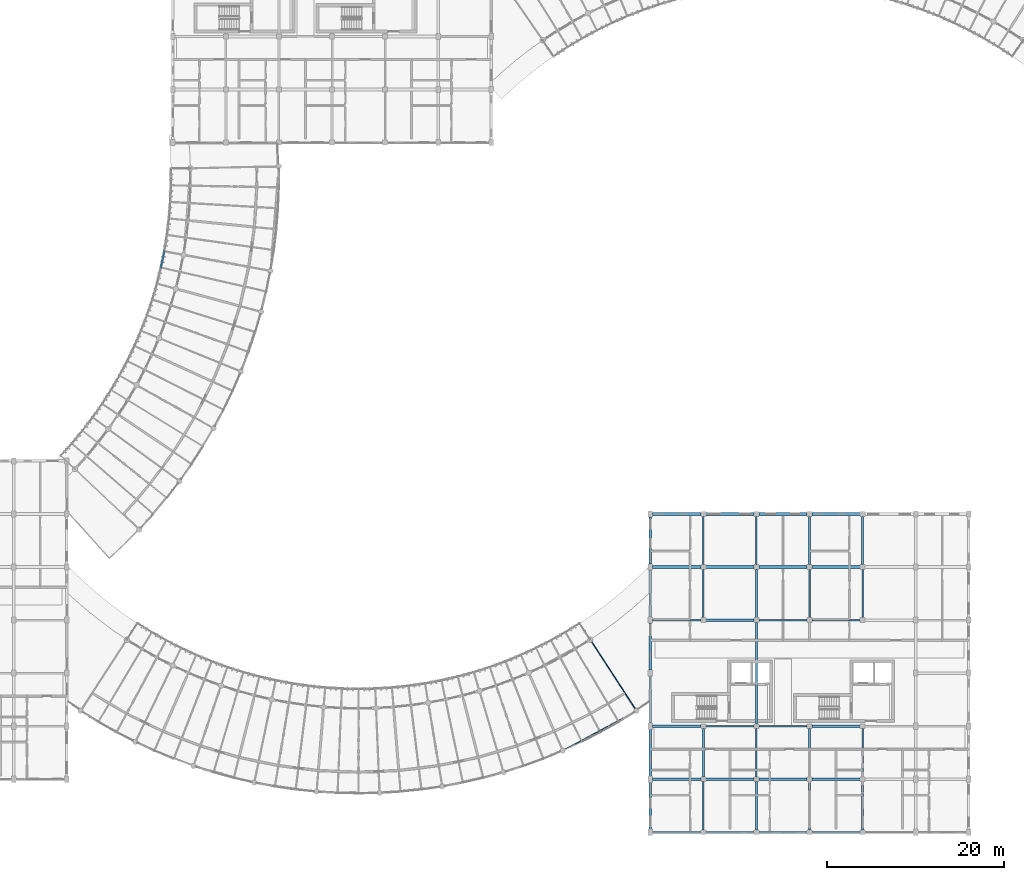
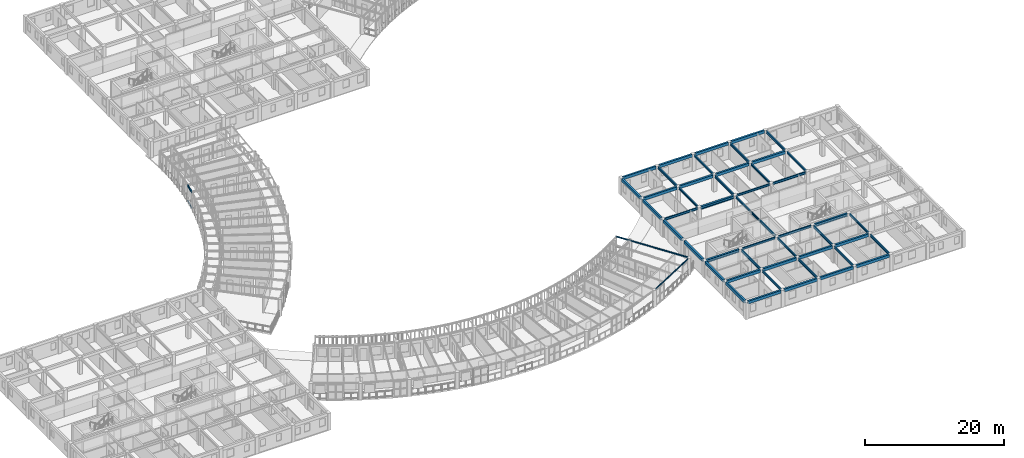
# One storey, part 22 of 101: 50 beams, 2 members.
"""IFC4 building model written with IfcOpenShell, lengths in metres."""

from ifc_helpers import new_model, si_unit, direction, frame, origin, origin_2d, place, context, subcontext, project, spatial, rectangle, hollow_rectangle, i_section, extrude, material, material_profile, profile_set, type_object, element, save


model = new_model("IFC4")

# Units and contexts
model_context = context("Model", 3, precision=1e-05, world=origin(), true_north=direction((0.0, 1.0)))
body_context = subcontext(model_context, "Body", "Model", "MODEL_VIEW")
ifc_project = project(units=[si_unit("LENGTHUNIT", "METRE"), si_unit("AREAUNIT", "SQUARE_METRE"), si_unit("VOLUMEUNIT", "CUBIC_METRE"), si_unit("PLANEANGLEUNIT", "RADIAN"), si_unit("MASSUNIT", "GRAM", prefix="KILO"), si_unit("POWERUNIT", "WATT"), si_unit("THERMODYNAMICTEMPERATUREUNIT", "KELVIN")], contexts=[model_context])

# Site, building, storey
site_placement = place(None, origin())
site = spatial("IfcSite", under=ifc_project, at=site_placement, CompositionType="ELEMENT")
building_placement = place(site_placement, origin())
building = spatial("IfcBuilding", under=site, at=building_placement, Name="Ruvembo Vaulted Housing Court", CompositionType="ELEMENT")
storey_placement = place(building_placement, frame((0.0, 0.0, 17.300048828125)))
storey = spatial("IfcBuildingStorey", under=building, at=storey_placement, Name="L05", CompositionType="ELEMENT", Elevation=17.300048828125)

# Beams
ifc_material_1 = material(Name="Steel S355J2", Category="steel")
ifc_material_profile_1 = material_profile(ifc_material_1, i_section(OverallWidth=0.300048828125, OverallDepth=0.5, WebThickness=0.014404296875, FlangeThickness=0.028076171875, FilletRadius=0.027099609375, at=origin_2d()), Name="HEB 320")
ifc_profile_set_1 = profile_set([ifc_material_profile_1], Name="Steel S355J2")
beam_type_1 = type_object("IfcBeamType", Name="BM-ST-HEB320", PredefinedType="BEAM", material=ifc_profile_set_1)
beam_1_placement = place(storey_placement, frame((102.235107421875, 12.0, 2.676025390625), z_axis=(1.0, 0.0, 0.0), x_axis=(0.0, 1.0, 0.0)))
element("IfcBeam", 1, at=beam_1_placement, inside=storey, type_object=beam_type_1, Name="L05 Grid Beam X #2309", PredefinedType="BEAM", context=body_context, shape_type="SweptSolid", body=[
    extrude(i_section(OverallWidth=0.300048828125, OverallDepth=0.5, WebThickness=0.014404296875, FlangeThickness=0.028076171875, FilletRadius=0.027099609375, at=origin_2d()), origin(), (0.0, 0.0, 1.0), 5.5048828125),
])
for number, where, z_axis, x_axis, name in (
    (2, (120.260009765625, 12.0, 2.676025390625), (1.0, 0.0, 0.0), (0.0, 1.0, 0.0), "L05 Grid Beam X #2312"),
    (3, (108.260009765625, 24.0, 2.676025390625), (1.0, 0.0, 0.0), (0.0, 1.0, 0.0), "L05 Grid Beam X #2324"),
):
    element("IfcBeam", number, at=place(storey_placement, frame(where, z_axis=z_axis, x_axis=x_axis)), inside=storey, type_object=beam_type_1, Name=name, PredefinedType="BEAM", context=body_context, shape_type="SweptSolid", body=[
        extrude(i_section(OverallWidth=0.300048828125, OverallDepth=0.5, WebThickness=0.014404296875, FlangeThickness=0.028076171875, FilletRadius=0.027099609375, at=origin_2d()), origin(), (0.0, 0.0, 1.0), 5.47998046875),
    ])
ifc_material_profile_2 = material_profile(ifc_material_1, i_section(OverallWidth=0.08203125, OverallDepth=0.159912109375, WebThickness=0.0048828125, FlangeThickness=0.00732421875, FilletRadius=0.009033203125, at=origin_2d()), Name="IPE 160")
ifc_profile_set_2 = profile_set([ifc_material_profile_2], Name="Steel S355J2")
beam_type_2 = type_object("IfcBeamType", Name="BM-ST-IPE160", PredefinedType="JOIST", material=ifc_profile_set_2)
beam_2_placement = place(storey_placement, frame((100.343994140625, 13.901611328125, 2.85205078125), z_axis=(-0.545955148069, 0.837814404446, 0.0), x_axis=(-0.837814404446, -0.545955148069, 0.0)))
element("IfcBeam", 4, at=beam_2_placement, inside=storey, type_object=beam_type_2, Name="Scoop SC2 L05 Radial Steel Joist 28", PredefinedType="JOIST", context=body_context, shape_type="SweptSolid", body=[
    extrude(i_section(OverallWidth=0.08203125, OverallDepth=0.159912109375, WebThickness=0.0048828125, FlangeThickness=0.00732421875, FilletRadius=0.009033203125, at=origin_2d()), origin(), (0.0, 0.0, 1.0), 11.64990234375),
])
ifc_material_profile_3 = material_profile(ifc_material_1, i_section(OverallWidth=0.110107421875, OverallDepth=0.219970703125, WebThickness=0.005859375, FlangeThickness=0.00927734375, FilletRadius=0.011962890625, at=origin_2d()), Name="IPE 220")
ifc_profile_set_3 = profile_set([ifc_material_profile_3], Name="Steel S355J2")
beam_type_3 = type_object("IfcBeamType", Name="BM-ST-IPE220", PredefinedType="SPANDREL", material=ifc_profile_set_3)
beam_3_placement = place(storey_placement, frame((46.664794921875, 63.86669921875, 2.822021484375), z_axis=(0.20126745828, 0.979536324103, 0.0), x_axis=(-0.979536324103, 0.20126745828, 0.0)))
element("IfcBeam", 5, at=beam_3_placement, inside=storey, type_object=beam_type_3, Name="Scoop SC1 L05 Balcony Edge Spandrel 13", PredefinedType="SPANDREL", context=body_context, shape_type="SweptSolid", body=[
    extrude(i_section(OverallWidth=0.110107421875, OverallDepth=0.219970703125, WebThickness=0.005859375, FlangeThickness=0.00927734375, FilletRadius=0.011962890625, at=origin_2d()), origin(), (0.0, 0.0, 1.0), 1.87646484375),
])
beam_4_placement = place(storey_placement, frame((92.2607421875, 9.322509765625, 2.823974609375), z_axis=(0.879955343206, 0.475056411349, 0.0), x_axis=(-0.475056411349, 0.879955343206, 0.0)))
element("IfcBeam", 6, at=beam_4_placement, inside=storey, type_object=beam_type_3, Name="Scoop SC2 L05 Chord Girder B24", PredefinedType="SPANDREL", context=body_context, shape_type="SweptSolid", body=[
    extrude(i_section(OverallWidth=0.110107421875, OverallDepth=0.219970703125, WebThickness=0.005859375, FlangeThickness=0.00927734375, FilletRadius=0.011962890625, at=origin_2d()), origin(), (0.0, 0.0, 1.0), 9.11376953125),
])
ifc_material_profile_4 = material_profile(ifc_material_1, i_section(OverallWidth=0.169921875, OverallDepth=0.360107421875, WebThickness=0.008056640625, FlangeThickness=0.0126953125, FilletRadius=0.01806640625, at=origin_2d()), Name="IPE 360")
ifc_profile_set_4 = profile_set([ifc_material_profile_4], Name="Steel S355J2")
beam_type_4 = type_object("IfcBeamType", Name="BM-ST-IPE360", PredefinedType="BEAM", material=ifc_profile_set_4)
for number, where, z_axis, x_axis, name in (
    (7, (108.260009765625, 12.0, 2.745849609375), (1.0, 0.0, 0.0), (0.0, 1.0, 0.0), "L05 Grid Beam X #2310"),
    (8, (114.260009765625, 24.0, 2.745849609375), (1.0, 0.0, 0.0), (0.0, 1.0, 0.0), "L05 Grid Beam X #2325"),
    (9, (108.0, 24.260009765625, 2.745849609375), (0.0, 1.0, 0.0), (-1.0, 0.0, 0.0), "L05 Grid Beam Y #2499"),
    (10, (114.0, 6.260009765625, 2.745849609375), (0.0, 1.0, 0.0), (-1.0, 0.0, 0.0), "L05 Grid Beam Y #2502"),
    (11, (114.0, 30.260009765625, 2.745849609375), (0.0, 1.0, 0.0), (-1.0, 0.0, 0.0), "L05 Grid Beam Y #2505"),
    (12, (120.0, 24.260009765625, 2.745849609375), (0.0, 1.0, 0.0), (-1.0, 0.0, 0.0), "L05 Grid Beam Y #2508"),
    (13, (126.0, 6.260009765625, 2.745849609375), (0.0, 1.0, 0.0), (-1.0, 0.0, 0.0), "L05 Grid Beam Y #2511"),
):
    element("IfcBeam", number, at=place(storey_placement, frame(where, z_axis=z_axis, x_axis=x_axis)), inside=storey, type_object=beam_type_4, Name=name, PredefinedType="BEAM", context=body_context, shape_type="SweptSolid", body=[
        extrude(i_section(OverallWidth=0.169921875, OverallDepth=0.360107421875, WebThickness=0.008056640625, FlangeThickness=0.0126953125, FilletRadius=0.01806640625, at=origin_2d()), origin(), (0.0, 0.0, 1.0), 5.47998046875),
    ])
ifc_material_profile_5 = material_profile(ifc_material_1, i_section(OverallWidth=0.179931640625, OverallDepth=0.39990234375, WebThickness=0.008544921875, FlangeThickness=0.013427734375, FilletRadius=0.02099609375, at=origin_2d()), Name="IPE 400")
ifc_profile_set_5 = profile_set([ifc_material_profile_5], Name="Steel S355J2")
beam_type_5 = type_object("IfcBeamType", Name="BM-ST-IPE400", PredefinedType="BEAM", material=ifc_profile_set_5)
beam_5_placement = place(storey_placement, frame((114.260009765625, 12.0, 2.725830078125), z_axis=(1.0, 0.0, 0.0), x_axis=(0.0, 1.0, 0.0)))
element("IfcBeam", 14, at=beam_5_placement, inside=storey, type_object=beam_type_5, Name="L05 Grid Beam X #2311", PredefinedType="BEAM", context=body_context, shape_type="SweptSolid", body=[
    extrude(i_section(OverallWidth=0.179931640625, OverallDepth=0.39990234375, WebThickness=0.008544921875, FlangeThickness=0.013427734375, FilletRadius=0.02099609375, at=origin_2d()), origin(), (0.0, 0.0, 1.0), 5.47998046875),
])
beam_6_placement = place(storey_placement, frame((102.235107421875, 24.0, 2.725830078125), z_axis=(1.0, 0.0, 0.0), x_axis=(0.0, 1.0, 0.0)))
element("IfcBeam", 15, at=beam_6_placement, inside=storey, type_object=beam_type_5, Name="L05 Grid Beam X #2323", PredefinedType="BEAM", context=body_context, shape_type="SweptSolid", body=[
    extrude(i_section(OverallWidth=0.179931640625, OverallDepth=0.39990234375, WebThickness=0.008544921875, FlangeThickness=0.013427734375, FilletRadius=0.02099609375, at=origin_2d()), origin(), (0.0, 0.0, 1.0), 5.5048828125),
])
for number, where, z_axis, x_axis, name in (
    (16, (120.260009765625, 24.0, 2.725830078125), (1.0, 0.0, 0.0), (0.0, 1.0, 0.0), "L05 Grid Beam X #2326"),
    (17, (108.0, 0.260009765625, 2.725830078125), (0.0, 1.0, 0.0), (-1.0, 0.0, 0.0), "L05 Grid Beam Y #2497"),
    (18, (108.0, 30.260009765625, 2.725830078125), (0.0, 1.0, 0.0), (-1.0, 0.0, 0.0), "L05 Grid Beam Y #2500"),
):
    element("IfcBeam", number, at=place(storey_placement, frame(where, z_axis=z_axis, x_axis=x_axis)), inside=storey, type_object=beam_type_5, Name=name, PredefinedType="BEAM", context=body_context, shape_type="SweptSolid", body=[
        extrude(i_section(OverallWidth=0.179931640625, OverallDepth=0.39990234375, WebThickness=0.008544921875, FlangeThickness=0.013427734375, FilletRadius=0.02099609375, at=origin_2d()), origin(), (0.0, 0.0, 1.0), 5.47998046875),
    ])
beam_7_placement = place(storey_placement, frame((114.0, 12.260009765625, 2.725830078125), z_axis=(0.0, 1.0, 0.0), x_axis=(-1.0, 0.0, 0.0)))
element("IfcBeam", 19, at=beam_7_placement, inside=storey, type_object=beam_type_5, Name="L05 Grid Beam Y #2503", PredefinedType="BEAM", context=body_context, shape_type="SweptSolid", body=[
    extrude(i_section(OverallWidth=0.179931640625, OverallDepth=0.39990234375, WebThickness=0.008544921875, FlangeThickness=0.013427734375, FilletRadius=0.02099609375, at=origin_2d()), origin(), (0.0, 0.0, 1.0), 11.47998046875),
])
for number, where, z_axis, x_axis, name in (
    (20, (120.0, 0.260009765625, 2.725830078125), (0.0, 1.0, 0.0), (-1.0, 0.0, 0.0), "L05 Grid Beam Y #2506"),
    (21, (120.0, 30.260009765625, 2.725830078125), (0.0, 1.0, 0.0), (-1.0, 0.0, 0.0), "L05 Grid Beam Y #2509"),
    (22, (126.0, 24.260009765625, 2.725830078125), (0.0, 1.0, 0.0), (-1.0, 0.0, 0.0), "L05 Grid Beam Y #2512"),
):
    element("IfcBeam", number, at=place(storey_placement, frame(where, z_axis=z_axis, x_axis=x_axis)), inside=storey, type_object=beam_type_5, Name=name, PredefinedType="BEAM", context=body_context, shape_type="SweptSolid", body=[
        extrude(i_section(OverallWidth=0.179931640625, OverallDepth=0.39990234375, WebThickness=0.008544921875, FlangeThickness=0.013427734375, FilletRadius=0.02099609375, at=origin_2d()), origin(), (0.0, 0.0, 1.0), 5.47998046875),
    ])
ifc_material_profile_6 = material_profile(ifc_material_1, i_section(OverallWidth=0.18994140625, OverallDepth=0.449951171875, WebThickness=0.009521484375, FlangeThickness=0.0146484375, FilletRadius=0.02099609375, at=origin_2d()), Name="IPE 450")
ifc_profile_set_6 = profile_set([ifc_material_profile_6], Name="Steel S355J2")
beam_type_6 = type_object("IfcBeamType", Name="BM-ST-IPE450", PredefinedType="BEAM", material=ifc_profile_set_6)
for number, where, z_axis, x_axis, name in (
    (23, (108.0, 6.260009765625, 2.700927734375), (0.0, 1.0, 0.0), (-1.0, 0.0, 0.0), "L05 Grid Beam Y #2498"),
    (24, (114.0, 0.260009765625, 2.700927734375), (0.0, 1.0, 0.0), (-1.0, 0.0, 0.0), "L05 Grid Beam Y #2501"),
    (25, (114.0, 24.260009765625, 2.700927734375), (0.0, 1.0, 0.0), (-1.0, 0.0, 0.0), "L05 Grid Beam Y #2504"),
    (26, (120.0, 6.260009765625, 2.700927734375), (0.0, 1.0, 0.0), (-1.0, 0.0, 0.0), "L05 Grid Beam Y #2507"),
    (27, (126.0, 0.260009765625, 2.700927734375), (0.0, 1.0, 0.0), (-1.0, 0.0, 0.0), "L05 Grid Beam Y #2510"),
    (28, (126.0, 30.260009765625, 2.700927734375), (0.0, 1.0, 0.0), (-1.0, 0.0, 0.0), "L05 Grid Beam Y #2513"),
):
    element("IfcBeam", number, at=place(storey_placement, frame(where, z_axis=z_axis, x_axis=x_axis)), inside=storey, type_object=beam_type_6, Name=name, PredefinedType="BEAM", context=body_context, shape_type="SweptSolid", body=[
        extrude(i_section(OverallWidth=0.18994140625, OverallDepth=0.449951171875, WebThickness=0.009521484375, FlangeThickness=0.0146484375, FilletRadius=0.02099609375, at=origin_2d()), origin(), (0.0, 0.0, 1.0), 5.47998046875),
    ])

# Members
ifc_material_profile_7 = material_profile(ifc_material_1, hollow_rectangle(XDim=0.06005859375, YDim=0.1201171875, WallThickness=0.0048828125, InnerFilletRadius=0.0048828125, OuterFilletRadius=0.010009765625, at=origin_2d()), Name="RHS 120x60x5")
ifc_profile_set_7 = profile_set([ifc_material_profile_7], Name="Steel S355J2")
member_type_1 = type_object("IfcMemberType", Name="MEM-CAR-RHS120", PredefinedType="CHORD", material=ifc_profile_set_7)
member_1_placement = place(storey_placement, frame((46.664794921875, 63.86669921875, 2.655029296875), z_axis=(0.20126745828, 0.979536324103, 0.0), x_axis=(-0.979536324103, 0.20126745828, 0.0)))
element("IfcMember", 29, at=member_1_placement, inside=storey, type_object=member_type_1, Name="Scoop SC1 L05 Upper Louvre Carrier Rail 13", PredefinedType="CHORD", context=body_context, shape_type="SweptSolid", body=[
    extrude(hollow_rectangle(XDim=0.06005859375, YDim=0.1201171875, WallThickness=0.0048828125, InnerFilletRadius=0.0048828125, OuterFilletRadius=0.010009765625, at=origin_2d()), origin(), (0.0, 0.0, 1.0), 1.87646484375),
])
ifc_material_profile_8 = material_profile(ifc_material_1, hollow_rectangle(XDim=0.080078125, YDim=0.14990234375, WallThickness=0.00634765625, InnerFilletRadius=0.00634765625, OuterFilletRadius=0.0126953125, at=origin_2d()), Name="RHS 150x80x6.3")
ifc_profile_set_8 = profile_set([ifc_material_profile_8], Name="Steel S355J2")
member_type_2 = type_object("IfcMemberType", Name="MEM-CAR-RHS150", PredefinedType="CHORD", material=ifc_profile_set_8)
member_2_placement = place(storey_placement, frame((46.664794921875, 63.86669921875, 0.094970703125), z_axis=(0.20126745828, 0.979536324103, 0.0), x_axis=(-0.979536324103, 0.20126745828, 0.0)))
element("IfcMember", 30, at=member_2_placement, inside=storey, type_object=member_type_2, Name="Scoop SC1 L05 Lower Louvre Carrier Rail 13", PredefinedType="CHORD", context=body_context, shape_type="SweptSolid", body=[
    extrude(hollow_rectangle(XDim=0.080078125, YDim=0.14990234375, WallThickness=0.00634765625, InnerFilletRadius=0.00634765625, OuterFilletRadius=0.0126953125, at=origin_2d()), origin(), (0.0, 0.0, 1.0), 1.87646484375),
])

# Beams
ifc_material_2 = material(Name="Concrete C35/45", Category="concrete")
ifc_material_profile_9 = material_profile(ifc_material_2, rectangle(XDim=0.300048828125, YDim=0.5, at=origin_2d()), Name="RC 300x500")
ifc_profile_set_9 = profile_set([ifc_material_profile_9], Name="Concrete C35/45")
beam_type_7 = type_object("IfcBeamType", Name="SP-RC-300x500", PredefinedType="SPANDREL", material=ifc_profile_set_9)
beam_8_placement = place(storey_placement, frame((102.235107421875, 0.0, 2.71484375), z_axis=(1.0, 0.0, 0.0), x_axis=(0.0, 1.0, 0.0)))
element("IfcBeam", 31, at=beam_8_placement, inside=storey, type_object=beam_type_7, Name="L05 Grid Beam X #2285", PredefinedType="SPANDREL", context=body_context, shape_type="SweptSolid", body=[
    extrude(rectangle(XDim=0.300048828125, YDim=0.5, at=origin_2d()), origin(), (0.0, 0.0, 1.0), 5.5048828125),
])
for number, where, z_axis, x_axis, name in (
    (32, (108.260009765625, 0.0, 2.71484375), (1.0, 0.0, 0.0), (0.0, 1.0, 0.0), "L05 Grid Beam X #2286"),
    (33, (114.260009765625, 0.0, 2.71484375), (1.0, 0.0, 0.0), (0.0, 1.0, 0.0), "L05 Grid Beam X #2287"),
    (34, (120.260009765625, 0.0, 2.71484375), (1.0, 0.0, 0.0), (0.0, 1.0, 0.0), "L05 Grid Beam X #2288"),
):
    element("IfcBeam", number, at=place(storey_placement, frame(where, z_axis=z_axis, x_axis=x_axis)), inside=storey, type_object=beam_type_7, Name=name, PredefinedType="SPANDREL", context=body_context, shape_type="SweptSolid", body=[
        extrude(rectangle(XDim=0.300048828125, YDim=0.5, at=origin_2d()), origin(), (0.0, 0.0, 1.0), 5.47998046875),
    ])
beam_9_placement = place(storey_placement, frame((102.235107421875, 6.0, 2.71484375), z_axis=(1.0, 0.0, 0.0), x_axis=(0.0, 1.0, 0.0)))
element("IfcBeam", 35, at=beam_9_placement, inside=storey, type_object=beam_type_7, Name="L05 Grid Beam X #2297", PredefinedType="SPANDREL", context=body_context, shape_type="SweptSolid", body=[
    extrude(rectangle(XDim=0.300048828125, YDim=0.5, at=origin_2d()), origin(), (0.0, 0.0, 1.0), 5.5048828125),
])
for number, where, z_axis, x_axis, name in (
    (36, (108.260009765625, 6.0, 2.71484375), (1.0, 0.0, 0.0), (0.0, 1.0, 0.0), "L05 Grid Beam X #2298"),
    (37, (114.260009765625, 6.0, 2.71484375), (1.0, 0.0, 0.0), (0.0, 1.0, 0.0), "L05 Grid Beam X #2299"),
    (38, (120.260009765625, 6.0, 2.71484375), (1.0, 0.0, 0.0), (0.0, 1.0, 0.0), "L05 Grid Beam X #2300"),
):
    element("IfcBeam", number, at=place(storey_placement, frame(where, z_axis=z_axis, x_axis=x_axis)), inside=storey, type_object=beam_type_7, Name=name, PredefinedType="SPANDREL", context=body_context, shape_type="SweptSolid", body=[
        extrude(rectangle(XDim=0.300048828125, YDim=0.5, at=origin_2d()), origin(), (0.0, 0.0, 1.0), 5.47998046875),
    ])
beam_10_placement = place(storey_placement, frame((102.235107421875, 30.0, 2.71484375), z_axis=(1.0, 0.0, 0.0), x_axis=(0.0, 1.0, 0.0)))
element("IfcBeam", 39, at=beam_10_placement, inside=storey, type_object=beam_type_7, Name="L05 Grid Beam X #2335", PredefinedType="SPANDREL", context=body_context, shape_type="SweptSolid", body=[
    extrude(rectangle(XDim=0.300048828125, YDim=0.5, at=origin_2d()), origin(), (0.0, 0.0, 1.0), 5.5048828125),
])
for number, where, z_axis, x_axis, name in (
    (40, (108.260009765625, 30.0, 2.71484375), (1.0, 0.0, 0.0), (0.0, 1.0, 0.0), "L05 Grid Beam X #2336"),
    (41, (114.260009765625, 30.0, 2.71484375), (1.0, 0.0, 0.0), (0.0, 1.0, 0.0), "L05 Grid Beam X #2337"),
    (42, (120.260009765625, 30.0, 2.71484375), (1.0, 0.0, 0.0), (0.0, 1.0, 0.0), "L05 Grid Beam X #2338"),
):
    element("IfcBeam", number, at=place(storey_placement, frame(where, z_axis=z_axis, x_axis=x_axis)), inside=storey, type_object=beam_type_7, Name=name, PredefinedType="SPANDREL", context=body_context, shape_type="SweptSolid", body=[
        extrude(rectangle(XDim=0.300048828125, YDim=0.5, at=origin_2d()), origin(), (0.0, 0.0, 1.0), 5.47998046875),
    ])
beam_11_placement = place(storey_placement, frame((102.235107421875, 36.0, 2.71484375), z_axis=(1.0, 0.0, 0.0), x_axis=(0.0, 1.0, 0.0)))
element("IfcBeam", 43, at=beam_11_placement, inside=storey, type_object=beam_type_7, Name="L05 Grid Beam X #2347", PredefinedType="SPANDREL", context=body_context, shape_type="SweptSolid", body=[
    extrude(rectangle(XDim=0.300048828125, YDim=0.5, at=origin_2d()), origin(), (0.0, 0.0, 1.0), 5.5048828125),
])
for number, where, z_axis, x_axis, name in (
    (44, (108.260009765625, 36.0, 2.71484375), (1.0, 0.0, 0.0), (0.0, 1.0, 0.0), "L05 Grid Beam X #2348"),
    (45, (114.260009765625, 36.0, 2.71484375), (1.0, 0.0, 0.0), (0.0, 1.0, 0.0), "L05 Grid Beam X #2349"),
    (46, (120.260009765625, 36.0, 2.71484375), (1.0, 0.0, 0.0), (0.0, 1.0, 0.0), "L05 Grid Beam X #2350"),
):
    element("IfcBeam", number, at=place(storey_placement, frame(where, z_axis=z_axis, x_axis=x_axis)), inside=storey, type_object=beam_type_7, Name=name, PredefinedType="SPANDREL", context=body_context, shape_type="SweptSolid", body=[
        extrude(rectangle(XDim=0.300048828125, YDim=0.5, at=origin_2d()), origin(), (0.0, 0.0, 1.0), 5.47998046875),
    ])
for number, where, z_axis, x_axis, name in (
    (47, (102.0, 0.3349609375, 2.71484375), (0.0, 1.0, 0.0), (-1.0, 0.0, 0.0), "L05 Grid Beam Y #2491"),
    (48, (102.0, 6.3349609375, 2.71484375), (0.0, 1.0, 0.0), (-1.0, 0.0, 0.0), "L05 Grid Beam Y #2492"),
    (49, (102.0, 12.3349609375, 2.71484375), (0.0, 1.0, 0.0), (-1.0, 0.0, 0.0), "L05 Grid Beam Y #2493"),
    (50, (102.0, 18.3349609375, 2.71484375), (0.0, 1.0, 0.0), (-1.0, 0.0, 0.0), "L05 Grid Beam Y #2494"),
    (51, (102.0, 24.3349609375, 2.71484375), (0.0, 1.0, 0.0), (-1.0, 0.0, 0.0), "L05 Grid Beam Y #2495"),
    (52, (102.0, 30.3349609375, 2.71484375), (0.0, 1.0, 0.0), (-1.0, 0.0, 0.0), "L05 Grid Beam Y #2496"),
):
    element("IfcBeam", number, at=place(storey_placement, frame(where, z_axis=z_axis, x_axis=x_axis)), inside=storey, type_object=beam_type_7, Name=name, PredefinedType="SPANDREL", context=body_context, shape_type="SweptSolid", body=[
        extrude(rectangle(XDim=0.300048828125, YDim=0.5, at=origin_2d()), origin(), (0.0, 0.0, 1.0), 5.330078125),
    ])

save(model, "model.ifc")
